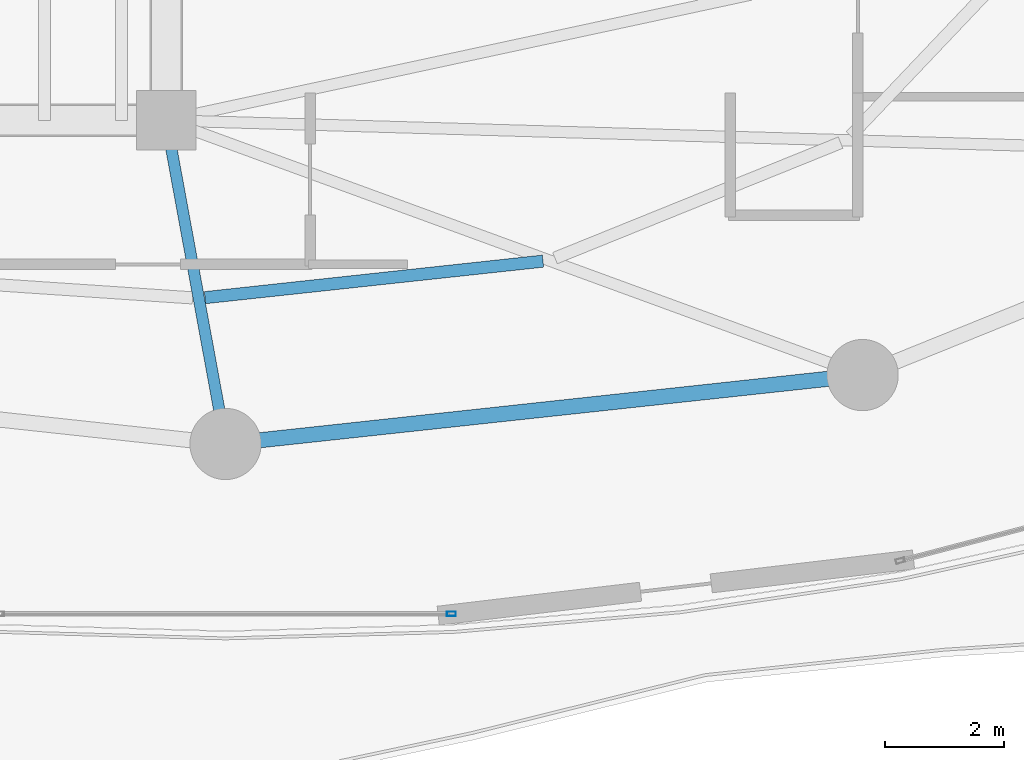
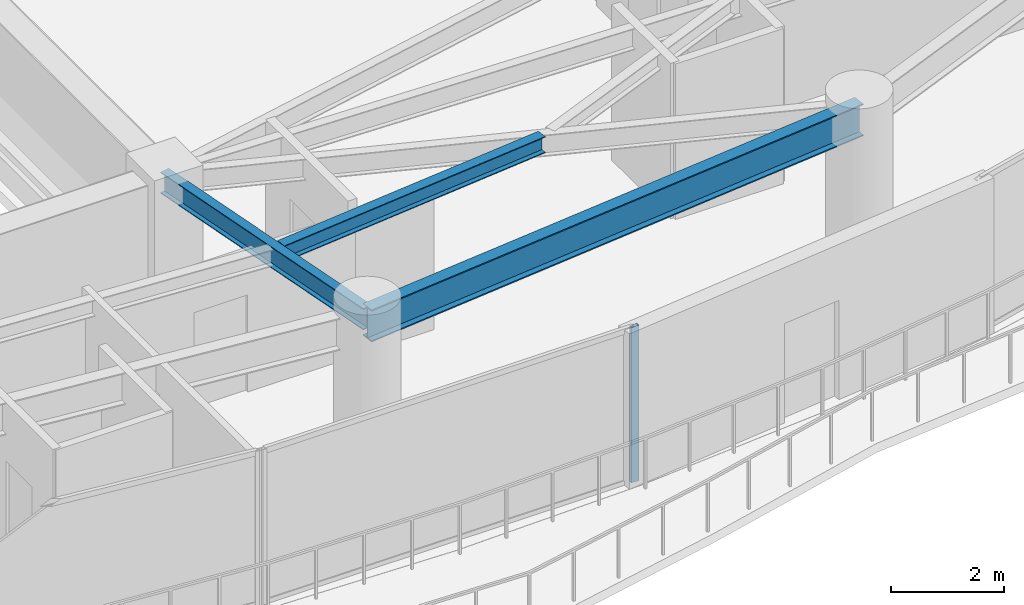
# One storey, part 10 of 34: 3 beams, 1 member, 1 element without a shape of its own.
"""IFC4 building model written with IfcOpenShell, lengths in metres."""

from ifc_helpers import new_model, si_unit, direction, frame, origin, origin_2d, place, context, subcontext, project, spatial, hollow_rectangle, i_section, extrude, material, layer, layer_set, material_profile, profile_set, type_object, element, aggregate, save


model = new_model("IFC4")

# Units and contexts
model_context = context("Model", 3, precision=1e-05, world=origin(), true_north=direction((0.0, 1.0)))
body_context = subcontext(model_context, "Body", "Model", "MODEL_VIEW")
ifc_project = project(units=[si_unit("LENGTHUNIT", "METRE"), si_unit("AREAUNIT", "SQUARE_METRE"), si_unit("VOLUMEUNIT", "CUBIC_METRE"), si_unit("PLANEANGLEUNIT", "RADIAN"), si_unit("MASSUNIT", "GRAM", prefix="KILO")], contexts=[model_context])

# Site, building, storey
site_placement = place(None, origin())
site = spatial("IfcSite", under=ifc_project, at=site_placement, CompositionType="ELEMENT")
building_placement = place(site_placement, origin())
building = spatial("IfcBuilding", under=site, at=building_placement, Name="Kazevale Care Tower and Concert Hall", CompositionType="ELEMENT")
storey_placement = place(building_placement, frame((0.0, 0.0, 156.60009765625)))
storey = spatial("IfcBuildingStorey", under=building, at=storey_placement, Name="L41", CompositionType="ELEMENT", Elevation=156.60009765625)

# Curtain wall, member
ifc_material_1 = material(Name="Aluminium 6063-T6 and Low-E Glass", Category="aluminium")
ifc_layer = layer(ifc_material_1, 0.179931640625)
ifc_layer_set = layer_set([ifc_layer], Name="Aluminium 6063-T6 and Low-E Glass")
curtain_wall_type = type_object("IfcCurtainWallType", Name="Sheltered Concave Balcony Curtain Wall CW-5", PredefinedType="NOTDEFINED", material=ifc_layer_set)
curtain_wall_placement = place(storey_placement, origin())
curtain_wall = element("IfcCurtainWall", 1, at=curtain_wall_placement, inside=storey, type_object=curtain_wall_type, Name="cw:L41:f06", PredefinedType="NOTDEFINED")
ifc_material_2 = material(Name="Aluminium 6063-T6", Category="aluminium")
ifc_material_profile_1 = material_profile(ifc_material_2, hollow_rectangle(XDim=0.074951171875, YDim=0.14990234375, WallThickness=0.00390625, at=origin_2d()), Name="ALU75x150x4")
ifc_profile_set_1 = profile_set([ifc_material_profile_1], Name="Aluminium 6063-T6")
member_type = type_object("IfcMemberType", Name="CW-5 Mullion ALU75x150x4", PredefinedType="MULLION", material=ifc_profile_set_1)
member_placement = place(storey_placement, frame((48.803466796875, 15.2890625, 0.0), z_axis=(0.0, 0.0, 1.0), x_axis=(0.0, -1.0, 0.0)))
member = element("IfcMember", 2, at=member_placement, type_object=member_type, Name="CW-5 mullion 1", PredefinedType="MULLION", context=body_context, shape_type="SweptSolid", body=[
    extrude(hollow_rectangle(XDim=0.074951171875, YDim=0.14990234375, WallThickness=0.00390625, at=origin_2d()), origin(), (0.0, 0.0, 1.0), 3.35986328125),
])
aggregate(curtain_wall, [member])

# Beams
ifc_material_3 = material(Name="Steel ASTM A572 Gr 50", Category="steel")
ifc_material_profile_2 = material_profile(ifc_material_3, i_section(OverallWidth=0.19091796875, OverallDepth=0.4599609375, WebThickness=0.010009765625, FlangeThickness=0.01611328125, at=origin_2d()), Name="W460x82")
ifc_profile_set_2 = profile_set([ifc_material_profile_2], Name="Steel ASTM A572 Gr 50")
beam_type_1 = type_object("IfcBeamType", Name="Radial Floor Beam W460x82", PredefinedType="BEAM", material=ifc_profile_set_2)
beam_1_placement = place(storey_placement, frame((44.0, 23.60009765625, 3.1298828125), z_axis=(0.180467114023, -0.983581018908, 0.0), x_axis=(0.983581018908, 0.180467114023, 0.0)))
element("IfcBeam", 3, at=beam_1_placement, inside=storey, type_object=beam_type_1, Name="beam:L41:rad:13", PredefinedType="BEAM", context=body_context, shape_type="SweptSolid", body=[
    extrude(i_section(OverallWidth=0.19091796875, OverallDepth=0.4599609375, WebThickness=0.010009765625, FlangeThickness=0.01611328125, at=origin_2d()), origin(), (0.0, 0.0, 1.0), 5.541259765625),
])
ifc_material_profile_3 = material_profile(ifc_material_3, i_section(OverallWidth=0.205078125, OverallDepth=0.35400390625, WebThickness=0.009521484375, FlangeThickness=0.016845703125, at=origin_2d()), Name="W360x79")
ifc_profile_set_3 = profile_set([ifc_material_profile_3], Name="Steel ASTM A572 Gr 50")
beam_type_2 = type_object("IfcBeamType", Name="Secondary Floor Joist W360x79", PredefinedType="JOIST", material=ifc_profile_set_3)
beam_2_placement = place(storey_placement, frame((44.654052734375, 20.614013671875, 3.182861328125), z_axis=(0.994215541126, 0.107403248482, 0.0), x_axis=(-0.107403248482, 0.994215541126, 0.0)))
element("IfcBeam", 4, at=beam_2_placement, inside=storey, type_object=beam_type_2, Name="beam:L41:joist:13", PredefinedType="JOIST", context=body_context, shape_type="SweptSolid", body=[
    extrude(i_section(OverallWidth=0.205078125, OverallDepth=0.35400390625, WebThickness=0.009521484375, FlangeThickness=0.016845703125, at=origin_2d()), origin(), (0.0, 0.0, 1.0), 5.72607421875),
])
ifc_material_profile_4 = material_profile(ifc_material_3, i_section(OverallWidth=0.256103515625, OverallDepth=0.693115234375, WebThickness=0.014404296875, FlangeThickness=0.023681640625, at=origin_2d()), Name="W690x170")
ifc_profile_set_4 = profile_set([ifc_material_profile_4], Name="Steel ASTM A572 Gr 50")
beam_type_3 = type_object("IfcBeamType", Name="Waist Ring Beam W690x170", PredefinedType="BEAM", material=ifc_profile_set_4)
beam_3_placement = place(storey_placement, frame((45.0, 18.14990234375, 3.013427734375), z_axis=(0.994205479487, 0.107496346724, 0.0), x_axis=(-0.107496346724, 0.994205479487, 0.0)))
element("IfcBeam", 5, at=beam_3_placement, inside=storey, type_object=beam_type_3, Name="beam:L41:ring:13", PredefinedType="BEAM", context=body_context, shape_type="SweptSolid", body=[
    extrude(i_section(OverallWidth=0.256103515625, OverallDepth=0.693115234375, WebThickness=0.014404296875, FlangeThickness=0.023681640625, at=origin_2d()), origin(), (0.0, 0.0, 1.0), 10.79248046875),
])

save(model, "model.ifc")
